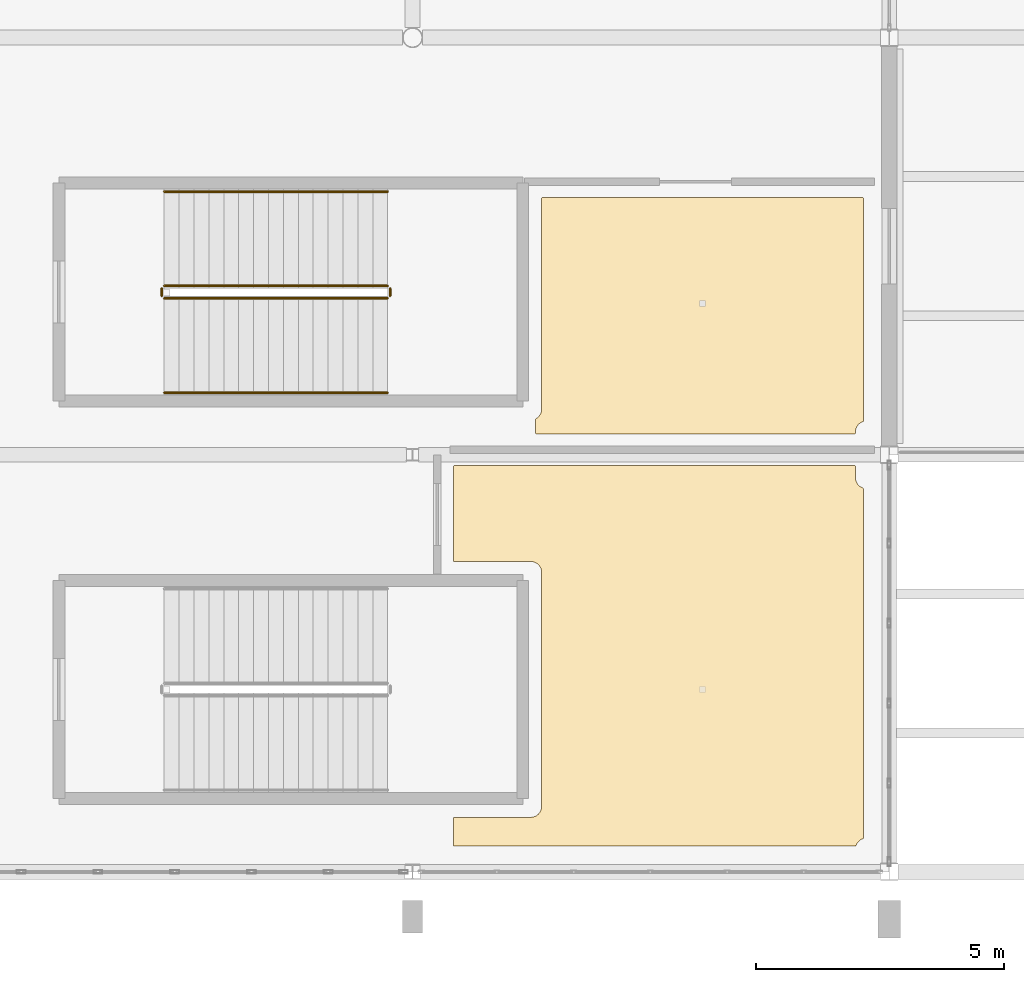
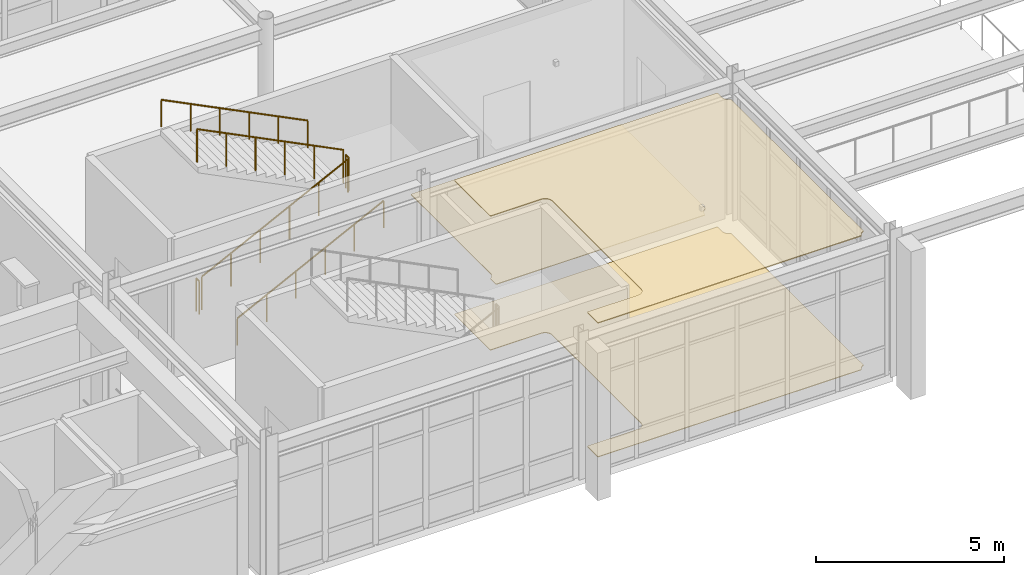
# One storey, part 127 of 139: 6 railings, 3 coverings.
"""IFC4 building model written with IfcOpenShell, lengths in metres."""

from ifc_helpers import new_model, si_unit, direction, frame, origin, origin_2d, place, context, subcontext, project, spatial, polyline, circle, outline, extrude, material, layer, layer_set, type_object, element, save


model = new_model("IFC4")

# Units and contexts
model_context = context("Model", 3, precision=1e-05, world=origin(), true_north=direction((0.0, 1.0)))
body_context = subcontext(model_context, "Body", "Model", "MODEL_VIEW")
ifc_project = project(units=[si_unit("LENGTHUNIT", "METRE"), si_unit("AREAUNIT", "SQUARE_METRE"), si_unit("VOLUMEUNIT", "CUBIC_METRE"), si_unit("PLANEANGLEUNIT", "RADIAN"), si_unit("MASSUNIT", "GRAM", prefix="KILO")], contexts=[model_context])

# Site, building, storey
site_placement = place(None, origin())
site = spatial("IfcSite", under=ifc_project, at=site_placement, CompositionType="ELEMENT")
building_placement = place(site_placement, origin())
building = spatial("IfcBuilding", under=site, at=building_placement, Name="Canglan Escarpment Cableway Terminal", CompositionType="ELEMENT")
storey_placement = place(building_placement, frame((0.0, 0.0, 14.39990234375)))
storey = spatial("IfcBuildingStorey", under=building, at=storey_placement, Name="L03", CompositionType="ELEMENT", Elevation=14.39990234375)

# Coverings
ifc_material_1 = material(Name="Moisture-resistant acoustic gypsum ceiling", Category="gypsum")
ifc_layer_1 = layer(ifc_material_1, 0.030029296875, Name="Moisture-resistant acoustic gypsum ceiling")
ifc_layer_set_1 = layer_set([ifc_layer_1], Name="Moisture-resistant acoustic gypsum ceiling")
covering_type_1 = type_object("IfcCoveringType", Name="COV-CEIL-GYPSUM-30", PredefinedType="CEILING", material=ifc_layer_set_1)
covering_1_placement = place(storey_placement, frame((0.0, 0.0, 4.35009765625)))
element("IfcCovering", 1, at=covering_1_placement, inside=storey, type_object=covering_type_1, Name="Sommelier Tasting Room suspended acoustic ceiling", PredefinedType="CEILING", context=body_context, shape_type="SweptSolid", body=[
    extrude(outline(polyline([(165.73291015625, 8.533203125), (165.732177734375, 8.531494140625), (165.731201171875, 8.529541015625), (165.72998046875, 8.52783203125), (165.728515625, 8.5263671875), (165.72705078125, 8.52490234375), (165.7255859375, 8.523681640625), (165.723876953125, 8.522705078125), (165.721923828125, 8.521728515625), (165.719970703125, 8.52099609375), (165.718017578125, 8.5205078125), (165.716064453125, 8.52001953125), (165.714111328125, 8.52001953125), (157.639892578125, 8.52001953125), (157.637939453125, 8.52001953125), (157.635986328125, 8.5205078125), (157.63427734375, 8.52099609375), (157.63232421875, 8.521484375), (157.630615234375, 8.5224609375), (157.62890625, 8.5234375), (157.627197265625, 8.5244140625), (157.6259765625, 8.52587890625), (157.62451171875, 8.52734375), (157.623291015625, 8.52880859375), (157.622314453125, 8.530517578125), (157.62158203125, 8.5322265625), (157.620849609375, 8.5341796875), (157.620361328125, 8.5361328125), (157.6201171875, 8.5380859375), (157.6201171875, 8.5400390625), (157.6201171875, 9.080078125), (157.6201171875, 9.08203125), (157.620361328125, 9.083984375), (157.620849609375, 9.085693359375), (157.62158203125, 9.087646484375), (157.622314453125, 9.08935546875), (157.623291015625, 9.091064453125), (157.62451171875, 9.0927734375), (157.6259765625, 9.093994140625), (157.627197265625, 9.095458984375), (157.62890625, 9.0966796875), (157.630615234375, 9.09765625), (157.63232421875, 9.098388671875), (157.63427734375, 9.09912109375), (157.635986328125, 9.099609375), (157.637939453125, 9.099853515625), (157.639892578125, 9.10009765625), (159.1796875, 9.10009765625), (159.18017578125, 9.10009765625), (159.201171875, 9.10107421875), (159.201904296875, 9.10107421875), (159.222412109375, 9.104248046875), (159.223388671875, 9.104248046875), (159.243408203125, 9.109375), (159.244384765625, 9.109619140625), (159.263671875, 9.11669921875), (159.2646484375, 9.116943359375), (159.283203125, 9.125732421875), (159.2841796875, 9.126220703125), (159.3017578125, 9.13671875), (159.302490234375, 9.137451171875), (159.319091796875, 9.149658203125), (159.31982421875, 9.150390625), (159.335205078125, 9.1640625), (159.3359375, 9.164794921875), (159.349609375, 9.18017578125), (159.350341796875, 9.180908203125), (159.362548828125, 9.197509765625), (159.36328125, 9.1982421875), (159.373779296875, 9.2158203125), (159.374267578125, 9.216796875), (159.383056640625, 9.2353515625), (159.38330078125, 9.236328125), (159.390380859375, 9.255615234375), (159.390625, 9.256591796875), (159.395751953125, 9.276611328125), (159.395751953125, 9.277587890625), (159.39892578125, 9.298095703125), (159.39892578125, 9.298828125), (159.39990234375, 9.31982421875), (159.39990234375, 9.3203125), (159.39990234375, 14.02978515625), (159.39990234375, 14.0302734375), (159.39892578125, 14.051025390625), (159.39892578125, 14.052001953125), (159.395751953125, 14.072509765625), (159.395751953125, 14.073486328125), (159.390625, 14.093505859375), (159.390380859375, 14.09423828125), (159.38330078125, 14.11376953125), (159.383056640625, 14.114501953125), (159.374267578125, 14.13330078125), (159.373779296875, 14.134033203125), (159.36328125, 14.15185546875), (159.362548828125, 14.152587890625), (159.350341796875, 14.169189453125), (159.349609375, 14.169921875), (159.3359375, 14.185302734375), (159.335205078125, 14.185791015625), (159.31982421875, 14.19970703125), (159.319091796875, 14.200439453125), (159.302490234375, 14.212646484375), (159.3017578125, 14.213134765625), (159.2841796875, 14.223876953125), (159.283203125, 14.22412109375), (159.2646484375, 14.23291015625), (159.263671875, 14.2333984375), (159.244384765625, 14.240478515625), (159.243408203125, 14.240478515625), (159.223388671875, 14.24560546875), (159.222412109375, 14.245849609375), (159.201904296875, 14.248779296875), (159.201171875, 14.2490234375), (159.18017578125, 14.25), (159.1796875, 14.25), (157.639892578125, 14.25), (157.637939453125, 14.25), (157.635986328125, 14.25048828125), (157.63427734375, 14.2509765625), (157.63232421875, 14.25146484375), (157.630615234375, 14.25244140625), (157.62890625, 14.25341796875), (157.627197265625, 14.25439453125), (157.6259765625, 14.255859375), (157.62451171875, 14.25732421875), (157.623291015625, 14.2587890625), (157.622314453125, 14.260498046875), (157.62158203125, 14.26220703125), (157.620849609375, 14.26416015625), (157.620361328125, 14.26611328125), (157.6201171875, 14.26806640625), (157.6201171875, 14.27001953125), (157.6201171875, 16.159912109375), (157.6201171875, 16.162109375), (157.620361328125, 16.163818359375), (157.620849609375, 16.165771484375), (157.62158203125, 16.167724609375), (157.622314453125, 16.16943359375), (157.623291015625, 16.171142578125), (157.62451171875, 16.172607421875), (157.6259765625, 16.174072265625), (157.627197265625, 16.175537109375), (157.62890625, 16.176513671875), (157.630615234375, 16.177490234375), (157.63232421875, 16.178466796875), (157.63427734375, 16.17919921875), (157.635986328125, 16.1796875), (157.637939453125, 16.179931640625), (157.639892578125, 16.179931640625), (165.699951171875, 16.179931640625), (165.701904296875, 16.179931640625), (165.703857421875, 16.1796875), (165.705810546875, 16.17919921875), (165.707763671875, 16.178466796875), (165.70947265625, 16.177490234375), (165.711181640625, 16.176513671875), (165.712646484375, 16.175537109375), (165.714111328125, 16.174072265625), (165.715576171875, 16.172607421875), (165.716552734375, 16.171142578125), (165.717529296875, 16.16943359375), (165.718505859375, 16.167724609375), (165.718994140625, 16.165771484375), (165.719482421875, 16.163818359375), (165.719970703125, 16.162109375), (165.719970703125, 16.159912109375), (165.719970703125, 15.940185546875), (165.719970703125, 15.939697265625), (165.720947265625, 15.9189453125), (165.72119140625, 15.91796875), (165.72412109375, 15.897705078125), (165.724365234375, 15.896484375), (165.7294921875, 15.876708984375), (165.7294921875, 15.875732421875), (165.736572265625, 15.856201171875), (165.737060546875, 15.85546875), (165.745849609375, 15.836669921875), (165.74609375, 15.8359375), (165.7568359375, 15.818115234375), (165.75732421875, 15.8173828125), (165.76953125, 15.80078125), (165.770263671875, 15.800048828125), (165.7841796875, 15.784912109375), (165.784912109375, 15.7841796875), (165.800048828125, 15.770263671875), (165.80078125, 15.76953125), (165.8173828125, 15.75732421875), (165.818115234375, 15.7568359375), (165.8359375, 15.74609375), (165.836669921875, 15.745849609375), (165.85546875, 15.737060546875), (165.856201171875, 15.736572265625), (165.86669921875, 15.73291015625), (165.868408203125, 15.732177734375), (165.8701171875, 15.731201171875), (165.87158203125, 15.730224609375), (165.873291015625, 15.72900390625), (165.87451171875, 15.727783203125), (165.875732421875, 15.726318359375), (165.876953125, 15.724609375), (165.877685546875, 15.72314453125), (165.878662109375, 15.721435546875), (165.879150390625, 15.719482421875), (165.879638671875, 15.7177734375), (165.8798828125, 15.7158203125), (165.8798828125, 15.714111328125), (165.8798828125, 8.68603515625), (165.8798828125, 8.68408203125), (165.879638671875, 8.68212890625), (165.879150390625, 8.680419921875), (165.878662109375, 8.6787109375), (165.877685546875, 8.677001953125), (165.876953125, 8.67529296875), (165.875732421875, 8.673583984375), (165.87451171875, 8.67236328125), (165.873291015625, 8.6708984375), (165.87158203125, 8.669921875), (165.8701171875, 8.668701171875), (165.868408203125, 8.66796875), (165.86669921875, 8.667236328125), (165.856201171875, 8.663330078125), (165.85546875, 8.6630859375), (165.836669921875, 8.654296875), (165.8359375, 8.65380859375), (165.818115234375, 8.643310546875), (165.8173828125, 8.642578125), (165.80078125, 8.63037109375), (165.800048828125, 8.629638671875), (165.784912109375, 8.615966796875), (165.7841796875, 8.615234375), (165.770263671875, 8.599853515625), (165.76953125, 8.59912109375), (165.75732421875, 8.58251953125), (165.7568359375, 8.581787109375), (165.74609375, 8.564208984375), (165.745849609375, 8.563232421875), (165.737060546875, 8.544677734375), (165.736572265625, 8.543701171875), (165.73291015625, 8.533203125)])), origin(), (0.0, 0.0, 1.0), 0.030029296875),
])
ifc_material_2 = material(Name="Polished mineral terrazzo flooring", Category="concrete")
ifc_layer_2 = layer(ifc_material_2, 0.02001953125, Name="Polished mineral terrazzo flooring")
ifc_layer_set_2 = layer_set([ifc_layer_2], Name="Polished mineral terrazzo flooring")
covering_type_2 = type_object("IfcCoveringType", Name="COV-FLR-TERRAZZO-20", PredefinedType="FLOORING", material=ifc_layer_set_2)
covering_2_placement = place(storey_placement, origin())
element("IfcCovering", 2, at=covering_2_placement, inside=storey, type_object=covering_type_2, Name="Panorama Bistro Bar stone floor finish", PredefinedType="FLOORING", context=body_context, shape_type="SweptSolid", body=[
    extrude(outline(polyline([(159.280029296875, 17.1123046875), (159.280029296875, 17.1142578125), (159.280517578125, 17.1162109375), (159.28076171875, 17.117919921875), (159.281494140625, 17.11962890625), (159.2822265625, 17.12158203125), (159.283203125, 17.123046875), (159.2841796875, 17.12451171875), (159.285400390625, 17.126220703125), (159.28662109375, 17.12744140625), (159.2880859375, 17.12841796875), (159.289794921875, 17.129638671875), (159.3017578125, 17.13671875), (159.302490234375, 17.137451171875), (159.319091796875, 17.149658203125), (159.31982421875, 17.150390625), (159.335205078125, 17.1640625), (159.3359375, 17.164794921875), (159.349609375, 17.18017578125), (159.350341796875, 17.180908203125), (159.362548828125, 17.197509765625), (159.36328125, 17.1982421875), (159.373779296875, 17.2158203125), (159.374267578125, 17.216796875), (159.383056640625, 17.2353515625), (159.38330078125, 17.236328125), (159.390380859375, 17.255615234375), (159.390625, 17.256591796875), (159.395751953125, 17.276611328125), (159.395751953125, 17.277587890625), (159.39892578125, 17.298095703125), (159.39892578125, 17.298828125), (159.39990234375, 17.31982421875), (159.39990234375, 17.3203125), (159.39990234375, 21.56005859375), (159.400146484375, 21.56201171875), (159.400390625, 21.56396484375), (159.40087890625, 21.56591796875), (159.401611328125, 21.567626953125), (159.40234375, 21.5693359375), (159.4033203125, 21.571044921875), (159.404541015625, 21.57275390625), (159.406005859375, 21.57421875), (159.4072265625, 21.575439453125), (159.408935546875, 21.57666015625), (159.41064453125, 21.57763671875), (159.412353515625, 21.57861328125), (159.414306640625, 21.5791015625), (159.416015625, 21.57958984375), (159.41796875, 21.579833984375), (159.419921875, 21.580078125), (165.860107421875, 21.580078125), (165.862060546875, 21.579833984375), (165.864013671875, 21.57958984375), (165.86572265625, 21.5791015625), (165.86767578125, 21.57861328125), (165.869384765625, 21.57763671875), (165.87109375, 21.57666015625), (165.872802734375, 21.575439453125), (165.8740234375, 21.57421875), (165.87548828125, 21.57275390625), (165.876708984375, 21.571044921875), (165.877685546875, 21.5693359375), (165.87841796875, 21.567626953125), (165.879150390625, 21.56591796875), (165.879638671875, 21.56396484375), (165.8798828125, 21.56201171875), (165.8798828125, 21.56005859375), (165.8798828125, 17.0859375), (165.8798828125, 17.083984375), (165.879638671875, 17.082275390625), (165.879150390625, 17.080322265625), (165.878662109375, 17.07861328125), (165.877685546875, 17.076904296875), (165.876953125, 17.0751953125), (165.875732421875, 17.07373046875), (165.87451171875, 17.072265625), (165.873291015625, 17.071044921875), (165.87158203125, 17.06982421875), (165.8701171875, 17.06884765625), (165.868408203125, 17.06787109375), (165.86669921875, 17.067138671875), (165.856201171875, 17.0634765625), (165.85546875, 17.06298828125), (165.836669921875, 17.05419921875), (165.8359375, 17.0537109375), (165.818115234375, 17.043212890625), (165.8173828125, 17.04248046875), (165.80078125, 17.030517578125), (165.800048828125, 17.02978515625), (165.784912109375, 17.015869140625), (165.7841796875, 17.01513671875), (165.770263671875, 17.0), (165.76953125, 16.999267578125), (165.75732421875, 16.982666015625), (165.7568359375, 16.981689453125), (165.74609375, 16.964111328125), (165.745849609375, 16.96337890625), (165.737060546875, 16.944580078125), (165.736572265625, 16.943603515625), (165.7294921875, 16.92431640625), (165.7294921875, 16.92333984375), (165.724365234375, 16.9033203125), (165.72412109375, 16.90234375), (165.72119140625, 16.882080078125), (165.720947265625, 16.881103515625), (165.719970703125, 16.860107421875), (165.719970703125, 16.85986328125), (165.719970703125, 16.840087890625), (165.719970703125, 16.837890625), (165.719482421875, 16.836181640625), (165.718994140625, 16.834228515625), (165.718505859375, 16.832275390625), (165.717529296875, 16.83056640625), (165.716552734375, 16.828857421875), (165.715576171875, 16.827392578125), (165.714111328125, 16.825927734375), (165.712646484375, 16.824462890625), (165.711181640625, 16.823486328125), (165.70947265625, 16.822509765625), (165.707763671875, 16.821533203125), (165.705810546875, 16.82080078125), (165.703857421875, 16.8203125), (165.701904296875, 16.820068359375), (165.699951171875, 16.820068359375), (159.300048828125, 16.820068359375), (159.298095703125, 16.820068359375), (159.296142578125, 16.8203125), (159.294189453125, 16.82080078125), (159.292236328125, 16.821533203125), (159.29052734375, 16.822509765625), (159.288818359375, 16.823486328125), (159.287353515625, 16.824462890625), (159.285888671875, 16.825927734375), (159.284423828125, 16.827392578125), (159.283447265625, 16.828857421875), (159.282470703125, 16.83056640625), (159.281494140625, 16.832275390625), (159.281005859375, 16.834228515625), (159.280517578125, 16.836181640625), (159.280029296875, 16.837890625), (159.280029296875, 16.840087890625), (159.280029296875, 17.1123046875)])), origin(), (0.0, 0.0, 1.0), 0.02001953125),
])
covering_3_placement = place(storey_placement, origin())
element("IfcCovering", 3, at=covering_3_placement, inside=storey, type_object=covering_type_2, Name="Sommelier Tasting Room stone floor finish", PredefinedType="FLOORING", context=body_context, shape_type="SweptSolid", body=[
    extrude(outline(polyline([(165.73291015625, 8.533203125), (165.732177734375, 8.531494140625), (165.731201171875, 8.529541015625), (165.72998046875, 8.52783203125), (165.728515625, 8.5263671875), (165.72705078125, 8.52490234375), (165.7255859375, 8.523681640625), (165.723876953125, 8.522705078125), (165.721923828125, 8.521728515625), (165.719970703125, 8.52099609375), (165.718017578125, 8.5205078125), (165.716064453125, 8.52001953125), (165.714111328125, 8.52001953125), (157.639892578125, 8.52001953125), (157.637939453125, 8.52001953125), (157.635986328125, 8.5205078125), (157.63427734375, 8.52099609375), (157.63232421875, 8.521484375), (157.630615234375, 8.5224609375), (157.62890625, 8.5234375), (157.627197265625, 8.5244140625), (157.6259765625, 8.52587890625), (157.62451171875, 8.52734375), (157.623291015625, 8.52880859375), (157.622314453125, 8.530517578125), (157.62158203125, 8.5322265625), (157.620849609375, 8.5341796875), (157.620361328125, 8.5361328125), (157.6201171875, 8.5380859375), (157.6201171875, 8.5400390625), (157.6201171875, 9.080078125), (157.6201171875, 9.08203125), (157.620361328125, 9.083984375), (157.620849609375, 9.085693359375), (157.62158203125, 9.087646484375), (157.622314453125, 9.08935546875), (157.623291015625, 9.091064453125), (157.62451171875, 9.0927734375), (157.6259765625, 9.093994140625), (157.627197265625, 9.095458984375), (157.62890625, 9.0966796875), (157.630615234375, 9.09765625), (157.63232421875, 9.098388671875), (157.63427734375, 9.09912109375), (157.635986328125, 9.099609375), (157.637939453125, 9.099853515625), (157.639892578125, 9.10009765625), (159.1796875, 9.10009765625), (159.18017578125, 9.10009765625), (159.201171875, 9.10107421875), (159.201904296875, 9.10107421875), (159.222412109375, 9.104248046875), (159.223388671875, 9.104248046875), (159.243408203125, 9.109375), (159.244384765625, 9.109619140625), (159.263671875, 9.11669921875), (159.2646484375, 9.116943359375), (159.283203125, 9.125732421875), (159.2841796875, 9.126220703125), (159.3017578125, 9.13671875), (159.302490234375, 9.137451171875), (159.319091796875, 9.149658203125), (159.31982421875, 9.150390625), (159.335205078125, 9.1640625), (159.3359375, 9.164794921875), (159.349609375, 9.18017578125), (159.350341796875, 9.180908203125), (159.362548828125, 9.197509765625), (159.36328125, 9.1982421875), (159.373779296875, 9.2158203125), (159.374267578125, 9.216796875), (159.383056640625, 9.2353515625), (159.38330078125, 9.236328125), (159.390380859375, 9.255615234375), (159.390625, 9.256591796875), (159.395751953125, 9.276611328125), (159.395751953125, 9.277587890625), (159.39892578125, 9.298095703125), (159.39892578125, 9.298828125), (159.39990234375, 9.31982421875), (159.39990234375, 9.3203125), (159.39990234375, 14.02978515625), (159.39990234375, 14.0302734375), (159.39892578125, 14.051025390625), (159.39892578125, 14.052001953125), (159.395751953125, 14.072509765625), (159.395751953125, 14.073486328125), (159.390625, 14.093505859375), (159.390380859375, 14.09423828125), (159.38330078125, 14.11376953125), (159.383056640625, 14.114501953125), (159.374267578125, 14.13330078125), (159.373779296875, 14.134033203125), (159.36328125, 14.15185546875), (159.362548828125, 14.152587890625), (159.350341796875, 14.169189453125), (159.349609375, 14.169921875), (159.3359375, 14.185302734375), (159.335205078125, 14.185791015625), (159.31982421875, 14.19970703125), (159.319091796875, 14.200439453125), (159.302490234375, 14.212646484375), (159.3017578125, 14.213134765625), (159.2841796875, 14.223876953125), (159.283203125, 14.22412109375), (159.2646484375, 14.23291015625), (159.263671875, 14.2333984375), (159.244384765625, 14.240478515625), (159.243408203125, 14.240478515625), (159.223388671875, 14.24560546875), (159.222412109375, 14.245849609375), (159.201904296875, 14.248779296875), (159.201171875, 14.2490234375), (159.18017578125, 14.25), (159.1796875, 14.25), (157.639892578125, 14.25), (157.637939453125, 14.25), (157.635986328125, 14.25048828125), (157.63427734375, 14.2509765625), (157.63232421875, 14.25146484375), (157.630615234375, 14.25244140625), (157.62890625, 14.25341796875), (157.627197265625, 14.25439453125), (157.6259765625, 14.255859375), (157.62451171875, 14.25732421875), (157.623291015625, 14.2587890625), (157.622314453125, 14.260498046875), (157.62158203125, 14.26220703125), (157.620849609375, 14.26416015625), (157.620361328125, 14.26611328125), (157.6201171875, 14.26806640625), (157.6201171875, 14.27001953125), (157.6201171875, 16.159912109375), (157.6201171875, 16.162109375), (157.620361328125, 16.163818359375), (157.620849609375, 16.165771484375), (157.62158203125, 16.167724609375), (157.622314453125, 16.16943359375), (157.623291015625, 16.171142578125), (157.62451171875, 16.172607421875), (157.6259765625, 16.174072265625), (157.627197265625, 16.175537109375), (157.62890625, 16.176513671875), (157.630615234375, 16.177490234375), (157.63232421875, 16.178466796875), (157.63427734375, 16.17919921875), (157.635986328125, 16.1796875), (157.637939453125, 16.179931640625), (157.639892578125, 16.179931640625), (165.699951171875, 16.179931640625), (165.701904296875, 16.179931640625), (165.703857421875, 16.1796875), (165.705810546875, 16.17919921875), (165.707763671875, 16.178466796875), (165.70947265625, 16.177490234375), (165.711181640625, 16.176513671875), (165.712646484375, 16.175537109375), (165.714111328125, 16.174072265625), (165.715576171875, 16.172607421875), (165.716552734375, 16.171142578125), (165.717529296875, 16.16943359375), (165.718505859375, 16.167724609375), (165.718994140625, 16.165771484375), (165.719482421875, 16.163818359375), (165.719970703125, 16.162109375), (165.719970703125, 16.159912109375), (165.719970703125, 15.940185546875), (165.719970703125, 15.939697265625), (165.720947265625, 15.9189453125), (165.72119140625, 15.91796875), (165.72412109375, 15.897705078125), (165.724365234375, 15.896484375), (165.7294921875, 15.876708984375), (165.7294921875, 15.875732421875), (165.736572265625, 15.856201171875), (165.737060546875, 15.85546875), (165.745849609375, 15.836669921875), (165.74609375, 15.8359375), (165.7568359375, 15.818115234375), (165.75732421875, 15.8173828125), (165.76953125, 15.80078125), (165.770263671875, 15.800048828125), (165.7841796875, 15.784912109375), (165.784912109375, 15.7841796875), (165.800048828125, 15.770263671875), (165.80078125, 15.76953125), (165.8173828125, 15.75732421875), (165.818115234375, 15.7568359375), (165.8359375, 15.74609375), (165.836669921875, 15.745849609375), (165.85546875, 15.737060546875), (165.856201171875, 15.736572265625), (165.86669921875, 15.73291015625), (165.868408203125, 15.732177734375), (165.8701171875, 15.731201171875), (165.87158203125, 15.730224609375), (165.873291015625, 15.72900390625), (165.87451171875, 15.727783203125), (165.875732421875, 15.726318359375), (165.876953125, 15.724609375), (165.877685546875, 15.72314453125), (165.878662109375, 15.721435546875), (165.879150390625, 15.719482421875), (165.879638671875, 15.7177734375), (165.8798828125, 15.7158203125), (165.8798828125, 15.714111328125), (165.8798828125, 8.68603515625), (165.8798828125, 8.68408203125), (165.879638671875, 8.68212890625), (165.879150390625, 8.680419921875), (165.878662109375, 8.6787109375), (165.877685546875, 8.677001953125), (165.876953125, 8.67529296875), (165.875732421875, 8.673583984375), (165.87451171875, 8.67236328125), (165.873291015625, 8.6708984375), (165.87158203125, 8.669921875), (165.8701171875, 8.668701171875), (165.868408203125, 8.66796875), (165.86669921875, 8.667236328125), (165.856201171875, 8.663330078125), (165.85546875, 8.6630859375), (165.836669921875, 8.654296875), (165.8359375, 8.65380859375), (165.818115234375, 8.643310546875), (165.8173828125, 8.642578125), (165.80078125, 8.63037109375), (165.800048828125, 8.629638671875), (165.784912109375, 8.615966796875), (165.7841796875, 8.615234375), (165.770263671875, 8.599853515625), (165.76953125, 8.59912109375), (165.75732421875, 8.58251953125), (165.7568359375, 8.581787109375), (165.74609375, 8.564208984375), (165.745849609375, 8.563232421875), (165.737060546875, 8.544677734375), (165.736572265625, 8.543701171875), (165.73291015625, 8.533203125)])), origin(), (0.0, 0.0, 1.0), 0.02001953125),
])

# Railings
ifc_material_3 = material(Name="Powder-coated steel stair balustrade", Category="steel")
railing_type_1 = type_object("IfcRailingType", Name="RL-STR-GUARD-1100", PredefinedType="BALUSTRADE", material=ifc_material_3)
railing_1_placement = place(storey_placement, frame((151.800048828125, 19.550048828125, 0.150146484375)))
element("IfcRailing", 4, at=railing_1_placement, inside=storey, type_object=railing_type_1, Name="L03 ST-09 stair guard 1", PredefinedType="BALUSTRADE", context=body_context, shape_type="SweptSolid", body=[
    extrude(circle(Radius=0.02392578125, at=origin_2d()), frame((0.0, 0.0, 1.076171875), z_axis=(0.894427191, 0.0, 0.4472135955), x_axis=(0.0, 1.0, 0.0)), (0.0, 0.0, 1.0), 5.03125),
    extrude(circle(Radius=0.02099609375, at=origin_2d()), origin(), (0.0, 0.0, 1.0), 1.052001953125),
    extrude(circle(Radius=0.02099609375, at=origin_2d()), frame((0.89990234375, 0.0, 0.449951171875)), (0.0, 0.0, 1.0), 1.052001953125),
    extrude(circle(Radius=0.02099609375, at=origin_2d()), frame((1.800048828125, 0.0, 0.89990234375)), (0.0, 0.0, 1.0), 1.052001953125),
    extrude(circle(Radius=0.02099609375, at=origin_2d()), frame((2.699951171875, 0.0, 1.35009765625)), (0.0, 0.0, 1.0), 1.052001953125),
    extrude(circle(Radius=0.02099609375, at=origin_2d()), frame((3.60009765625, 0.0, 1.800048828125)), (0.0, 0.0, 1.0), 1.052001953125),
    extrude(circle(Radius=0.02099609375, at=origin_2d()), frame((4.5, 0.0, 2.25)), (0.0, 0.0, 1.0), 1.052001953125),
])
railing_2_placement = place(storey_placement, frame((156.35009765625, 19.60009765625, 2.400146484375)))
element("IfcRailing", 5, at=railing_2_placement, inside=storey, type_object=railing_type_1, Name="L03 ST-09 stair guard 2", PredefinedType="BALUSTRADE", context=body_context, shape_type="SweptSolid", body=[
    extrude(circle(Radius=0.02392578125, at=origin_2d()), frame((0.0, 0.0, 1.076171875), z_axis=(0.0, 1.0, 0.0), x_axis=(-1.0, 0.0, 0.0)), (0.0, 0.0, 1.0), 0.14990234375),
    extrude(circle(Radius=0.02099609375, at=origin_2d()), origin(), (0.0, 0.0, 1.0), 1.052001953125),
    extrude(circle(Radius=0.02099609375, at=origin_2d()), frame((0.0, 0.14990234375, 0.0)), (0.0, 0.0, 1.0), 1.052001953125),
])
railing_3_placement = place(storey_placement, frame((156.300048828125, 19.800048828125, 2.550048828125)))
element("IfcRailing", 6, at=railing_3_placement, inside=storey, type_object=railing_type_1, Name="L03 ST-09 stair guard 3", PredefinedType="BALUSTRADE", context=body_context, shape_type="SweptSolid", body=[
    extrude(circle(Radius=0.02392578125, at=origin_2d()), frame((0.0, 0.0, 1.076171875), z_axis=(-0.894427191, 0.0, 0.4472135955), x_axis=(0.0, -1.0, 0.0)), (0.0, 0.0, 1.0), 5.03125),
    extrude(circle(Radius=0.02099609375, at=origin_2d()), origin(), (0.0, 0.0, 1.0), 1.052001953125),
    extrude(circle(Radius=0.02099609375, at=origin_2d()), frame((-0.89990234375, 0.0, 0.449951171875)), (0.0, 0.0, 1.0), 1.052001953125),
    extrude(circle(Radius=0.02099609375, at=origin_2d()), frame((-1.800048828125, 0.0, 0.89990234375)), (0.0, 0.0, 1.0), 1.052001953125),
    extrude(circle(Radius=0.02099609375, at=origin_2d()), frame((-2.699951171875, 0.0, 1.35009765625)), (0.0, 0.0, 1.0), 1.052001953125),
    extrude(circle(Radius=0.02099609375, at=origin_2d()), frame((-3.60009765625, 0.0, 1.800048828125)), (0.0, 0.0, 1.0), 1.052001953125),
    extrude(circle(Radius=0.02099609375, at=origin_2d()), frame((-4.5, 0.0, 2.25)), (0.0, 0.0, 1.0), 1.052001953125),
])
railing_4_placement = place(storey_placement, frame((151.75, 19.60009765625, 0.0)))
element("IfcRailing", 7, at=railing_4_placement, inside=storey, type_object=railing_type_1, Name="L03 ST-09 stair guard 4", PredefinedType="BALUSTRADE", context=body_context, shape_type="SweptSolid", body=[
    extrude(circle(Radius=0.02392578125, at=origin_2d()), frame((0.0, 0.0, 1.076171875), z_axis=(0.0, 1.0, 0.0), x_axis=(-1.0, 0.0, 0.0)), (0.0, 0.0, 1.0), 0.14990234375),
    extrude(circle(Radius=0.02099609375, at=origin_2d()), origin(), (0.0, 0.0, 1.0), 1.052001953125),
    extrude(circle(Radius=0.02099609375, at=origin_2d()), frame((0.0, 0.14990234375, 0.0)), (0.0, 0.0, 1.0), 1.052001953125),
])
ifc_material_4 = material(Name="Brushed stainless steel 304 handrail", Category="steel")
railing_type_2 = type_object("IfcRailingType", Name="RL-STR-HR-900", PredefinedType="HANDRAIL", material=ifc_material_4)
railing_5_placement = place(storey_placement, frame((151.800048828125, 17.64990234375, 0.150146484375)))
element("IfcRailing", 8, at=railing_5_placement, inside=storey, type_object=railing_type_2, Name="L03 ST-09 stair handrail 1", PredefinedType="HANDRAIL", context=body_context, shape_type="SweptSolid", body=[
    extrude(circle(Radius=0.02392578125, at=origin_2d()), frame((0.0, 0.0, 0.8759765625), z_axis=(0.894427191, 0.0, 0.4472135955), x_axis=(0.0, 1.0, 0.0)), (0.0, 0.0, 1.0), 5.03125),
    extrude(circle(Radius=0.02099609375, at=origin_2d()), origin(), (0.0, 0.0, 1.0), 0.851806640625),
    extrude(circle(Radius=0.02099609375, at=origin_2d()), frame((0.89990234375, 0.0, 0.449951171875)), (0.0, 0.0, 1.0), 0.851806640625),
    extrude(circle(Radius=0.02099609375, at=origin_2d()), frame((1.800048828125, 0.0, 0.89990234375)), (0.0, 0.0, 1.0), 0.851806640625),
    extrude(circle(Radius=0.02099609375, at=origin_2d()), frame((2.699951171875, 0.0, 1.35009765625)), (0.0, 0.0, 1.0), 0.851806640625),
    extrude(circle(Radius=0.02099609375, at=origin_2d()), frame((3.60009765625, 0.0, 1.800048828125)), (0.0, 0.0, 1.0), 0.851806640625),
    extrude(circle(Radius=0.02099609375, at=origin_2d()), frame((4.5, 0.0, 2.25)), (0.0, 0.0, 1.0), 0.851806640625),
])
railing_6_placement = place(storey_placement, frame((156.300048828125, 21.699951171875, 2.550048828125)))
element("IfcRailing", 9, at=railing_6_placement, inside=storey, type_object=railing_type_2, Name="L03 ST-09 stair handrail 2", PredefinedType="HANDRAIL", context=body_context, shape_type="SweptSolid", body=[
    extrude(circle(Radius=0.02392578125, at=origin_2d()), frame((0.0, 0.0, 0.8759765625), z_axis=(-0.894427191, 0.0, 0.4472135955), x_axis=(0.0, -1.0, 0.0)), (0.0, 0.0, 1.0), 5.03125),
    extrude(circle(Radius=0.02099609375, at=origin_2d()), origin(), (0.0, 0.0, 1.0), 0.851806640625),
    extrude(circle(Radius=0.02099609375, at=origin_2d()), frame((-0.89990234375, 0.0, 0.449951171875)), (0.0, 0.0, 1.0), 0.851806640625),
    extrude(circle(Radius=0.02099609375, at=origin_2d()), frame((-1.800048828125, 0.0, 0.89990234375)), (0.0, 0.0, 1.0), 0.851806640625),
    extrude(circle(Radius=0.02099609375, at=origin_2d()), frame((-2.699951171875, 0.0, 1.35009765625)), (0.0, 0.0, 1.0), 0.851806640625),
    extrude(circle(Radius=0.02099609375, at=origin_2d()), frame((-3.60009765625, 0.0, 1.800048828125)), (0.0, 0.0, 1.0), 0.851806640625),
    extrude(circle(Radius=0.02099609375, at=origin_2d()), frame((-4.5, 0.0, 2.25)), (0.0, 0.0, 1.0), 0.851806640625),
])

save(model, "model.ifc")
